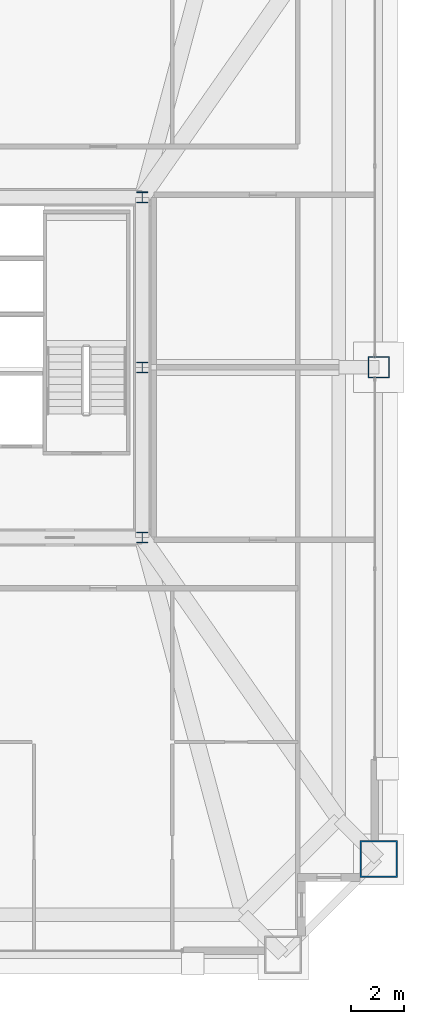
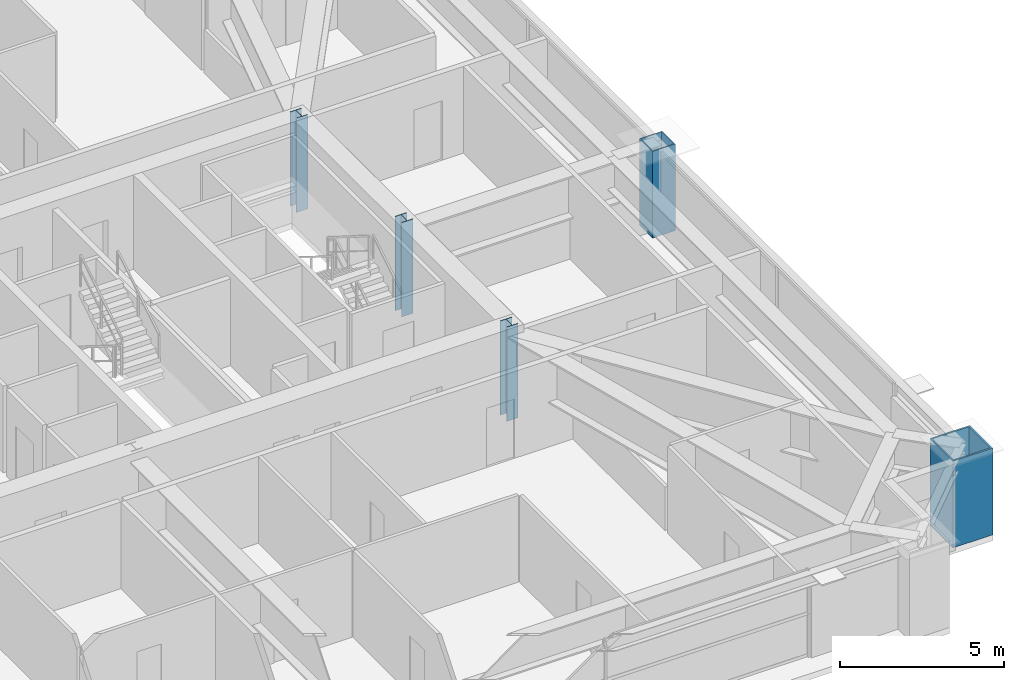
# One storey, part 2 of 39: 5 columns.
"""IFC4 building model written with IfcOpenShell, lengths in metres."""

from ifc_helpers import new_model, si_unit, direction, frame, origin, origin_2d, place, context, subcontext, project, spatial, hollow_rectangle, i_section, extrude, source, transform, mapped, material, material_profile, profile_set, type_object, element, save


model = new_model("IFC4")

# Units and contexts
model_context = context("Model", 3, precision=1e-05, world=origin(), true_north=direction((0.0, 1.0)))
body_context = subcontext(model_context, "Body", "Model", "MODEL_VIEW")
ifc_project = project(units=[si_unit("LENGTHUNIT", "METRE"), si_unit("AREAUNIT", "SQUARE_METRE"), si_unit("VOLUMEUNIT", "CUBIC_METRE"), si_unit("PLANEANGLEUNIT", "RADIAN"), si_unit("MASSUNIT", "GRAM", prefix="KILO"), si_unit("THERMODYNAMICTEMPERATUREUNIT", "KELVIN"), si_unit("POWERUNIT", "WATT")], contexts=[model_context])

# Site, building, storey
site_placement = place(None, origin())
site = spatial("IfcSite", under=ifc_project, at=site_placement, CompositionType="ELEMENT")
building_placement = place(site_placement, origin())
building = spatial("IfcBuilding", under=site, at=building_placement, Name="Yuzanri Waterfront Tower", CompositionType="ELEMENT")
storey_placement = place(building_placement, frame((0.0, 0.0, 216.0)))
storey = spatial("IfcBuildingStorey", under=building, at=storey_placement, Name="L57", CompositionType="ELEMENT", Elevation=216.0)

# Columns
ifc_material_1 = material(Name="Steel Q355B", Category="steel")
ifc_material_profile_1 = material_profile(ifc_material_1, i_section(OverallWidth=0.39990234375, OverallDepth=0.39990234375, WebThickness=0.012939453125, FlangeThickness=0.02099609375, at=origin_2d()), Name="HW 400x400x13x21")
ifc_profile_set_1 = profile_set([ifc_material_profile_1], Name="Steel Q355B")
column_type_1 = type_object("IfcColumnType", Name="Core Post Q355B HW 400x400x13x21", PredefinedType="COLUMN", material=ifc_profile_set_1)
shared_shape_1 = source(origin(), body_context, "Body", "SweptSolid", [
    extrude(i_section(OverallWidth=0.39990234375, OverallDepth=0.39990234375, WebThickness=0.012939453125, FlangeThickness=0.02099609375, at=origin_2d()), origin(), (0.0, 0.0, 1.0), 3.5),
])
for number, where, z_axis, x_axis, name in (
    (1, (50.199951171875, 19.39990234375, 0.0), (0.0, 0.0, 1.0), (1.0, 0.0, 0.0), "L57 Core Boundary Column CP3"),
    (2, (50.199951171875, 25.800048828125, 0.0), (0.0, 0.0, 1.0), (1.0, 0.0, 0.0), "L57 Core Boundary Column CP5"),
    (3, (50.199951171875, 32.199951171875, 0.0), (0.0, 0.0, 1.0), (1.0, 0.0, 0.0), "L57 Core Boundary Column CP8"),
):
    element("IfcColumn", number, at=place(storey_placement, frame(where, z_axis=z_axis, x_axis=x_axis)), inside=storey, type_object=column_type_1, Name=name, PredefinedType="COLUMN", context=body_context, shape_type="MappedRepresentation", body=[
        mapped(shared_shape_1, transform((0.0, 0.0, 0.0), scale=1.0)),
    ])
ifc_material_2 = material(Name="Steel Q420GJC", Category="steel")
ifc_material_profile_2 = material_profile(ifc_material_2, hollow_rectangle(XDim=1.39990234375, YDim=1.39990234375, WallThickness=0.06005859375, at=origin_2d()), Name="RHS 1400x1400x60")
ifc_profile_set_2 = profile_set([ifc_material_profile_2], Name="Steel Q420GJC")
column_type_2 = type_object("IfcColumnType", Name="Mega Column Q420GJC RHS 1400x1400x60", PredefinedType="COLUMN", material=ifc_profile_set_2)
shared_shape_2 = source(origin(), body_context, "Body", "SweptSolid", [
    extrude(hollow_rectangle(XDim=1.39990234375, YDim=1.39990234375, WallThickness=0.06005859375, at=origin_2d()), origin(), (0.0, 0.0, 1.0), 3.219970703125),
])
column_1_placement = place(storey_placement, frame((59.10009765625, 7.300048828125, 0.0), z_axis=(0.0, 0.0, 1.0), x_axis=(1.0, 0.0, 0.0)))
element("IfcColumn", 4, at=column_1_placement, inside=storey, type_object=column_type_2, Name="L57 Perimeter Mega Column E1", PredefinedType="COLUMN", context=body_context, shape_type="MappedRepresentation", body=[
    mapped(shared_shape_2, transform((0.0, 0.0, 0.0), scale=1.0)),
])
ifc_material_3 = material(Name="Steel Q390GJC", Category="steel")
ifc_material_profile_3 = material_profile(ifc_material_3, hollow_rectangle(XDim=0.800048828125, YDim=0.800048828125, WallThickness=0.035888671875, at=origin_2d()), Name="RHS 800x800x36")
ifc_profile_set_3 = profile_set([ifc_material_profile_3], Name="Steel Q390GJC")
column_type_3 = type_object("IfcColumnType", Name="Frame Column Q390GJC RHS 800x800x36", PredefinedType="COLUMN", material=ifc_profile_set_3)
shared_shape_3 = source(origin(), body_context, "Body", "SweptSolid", [
    extrude(hollow_rectangle(XDim=0.800048828125, YDim=0.800048828125, WallThickness=0.035888671875, at=origin_2d()), origin(), (0.0, 0.0, 1.0), 3.219970703125),
])
column_2_placement = place(storey_placement, frame((59.10009765625, 25.800048828125, 0.0), z_axis=(0.0, 0.0, 1.0), x_axis=(1.0, 0.0, 0.0)))
element("IfcColumn", 5, at=column_2_placement, inside=storey, type_object=column_type_3, Name="L57 Perimeter Frame Column E2", PredefinedType="COLUMN", context=body_context, shape_type="MappedRepresentation", body=[
    mapped(shared_shape_3, transform((0.0, 0.0, 0.0), scale=1.0)),
])

save(model, "model.ifc")
